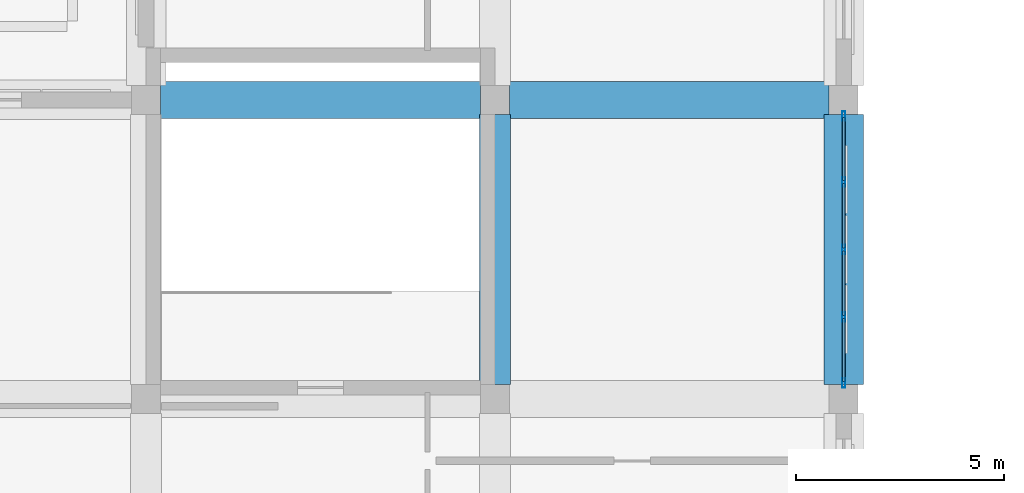
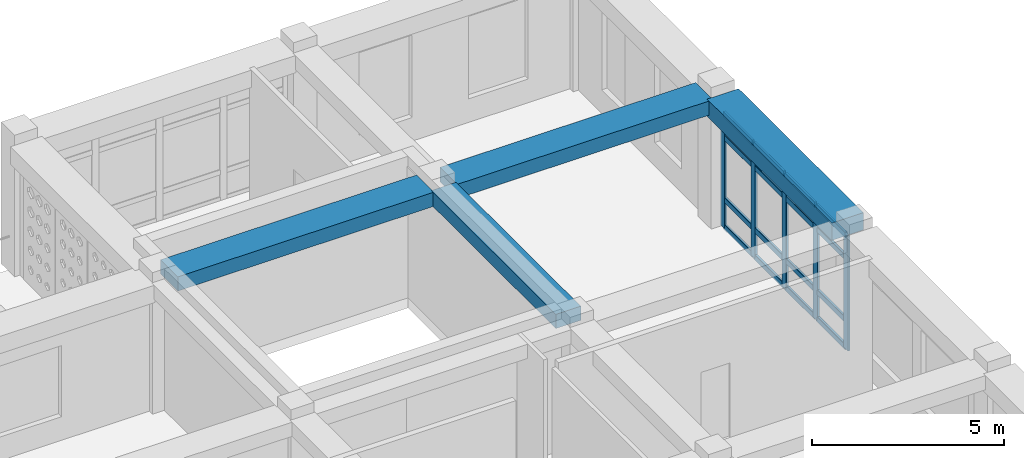
# One storey, part 27 of 79: 21 members, 4 beams, 1 element without a shape of its own.
"""IFC4 building model written with IfcOpenShell, lengths in metres."""

from ifc_helpers import new_model, si_unit, derived_unit, direction, frame, origin, origin_2d, place, context, subcontext, project, spatial, rectangle, hollow_rectangle, extrude, material, material_profile, profile_set, type_object, element, aggregate, save


model = new_model("IFC4")

# Units and contexts
model_context = context("Model", 3, precision=1e-05, world=origin(), true_north=direction((0.0, 1.0)))
body_context = subcontext(model_context, "Body", "Model", "MODEL_VIEW")
ifc_project = project(units=[si_unit("LENGTHUNIT", "METRE"), si_unit("AREAUNIT", "SQUARE_METRE"), si_unit("VOLUMEUNIT", "CUBIC_METRE"), si_unit("PLANEANGLEUNIT", "RADIAN"), si_unit("MASSUNIT", "GRAM", prefix="KILO"), derived_unit("THERMALTRANSMITTANCEUNIT", [(si_unit("POWERUNIT", "WATT"), 1), (si_unit("LENGTHUNIT", "METRE"), -2), (si_unit("THERMODYNAMICTEMPERATUREUNIT", "KELVIN"), -1)])], contexts=[model_context])

# Site, building, storey
site_placement = place(None, origin())
site = spatial("IfcSite", under=ifc_project, at=site_placement, CompositionType="ELEMENT")
building_placement = place(site_placement, origin())
building = spatial("IfcBuilding", under=site, at=building_placement, Name="Veybourne Emporium", CompositionType="ELEMENT")
storey_placement = place(building_placement, frame((0.0, 0.0, 18.89990234375)))
storey = spatial("IfcBuildingStorey", under=building, at=storey_placement, Name="L04", CompositionType="ELEMENT", Elevation=18.89990234375)

# Curtain wall, members
ifc_material_1 = material(Name="Patinated Architectural Bronze", Category="bronze")
curtain_wall_type = type_object("IfcCurtainWallType", Name="CWSystem_CWS-06", PredefinedType="NOTDEFINED", material=ifc_material_1)
curtain_wall_placement = place(storey_placement, origin())
curtain_wall = element("IfcCurtainWall", 1, at=curtain_wall_placement, inside=storey, type_object=curtain_wall_type, Name="L04 bronze glazed curtain wall CWS-06 (045)", PredefinedType="NOTDEFINED")
ifc_material_profile_1 = material_profile(ifc_material_1, hollow_rectangle(XDim=0.074951171875, YDim=0.22998046875, WallThickness=0.0048828125, InnerFilletRadius=0.007568359375, OuterFilletRadius=0.012451171875, at=origin_2d()), Name="CWM 75x230x5")
ifc_profile_set_1 = profile_set([ifc_material_profile_1], Name="Patinated Architectural Bronze")
member_type_1 = type_object("IfcMemberType", Name="CWMullion_CW-M2", PredefinedType="MULLION", material=ifc_profile_set_1)
member_1_placement = place(storey_placement, frame((92.39990234375, 93.21240234375, 0.0), z_axis=(0.0, 0.0, 1.0), x_axis=(1.0, 0.0, 0.0)))
member_1 = element("IfcMember", 2, at=member_1_placement, type_object=member_type_1, Name="CWS-06 mullion 1", PredefinedType="MULLION", context=body_context, shape_type="SweptSolid", body=[
    extrude(hollow_rectangle(XDim=0.074951171875, YDim=0.22998046875, WallThickness=0.0048828125, InnerFilletRadius=0.007568359375, OuterFilletRadius=0.012451171875, at=origin_2d()), origin(), (0.0, 0.0, 1.0), 3.630126953125),
])
member_2_placement = place(storey_placement, frame((92.39990234375, 91.625, 0.0), z_axis=(0.0, 0.0, 1.0), x_axis=(1.0, 0.0, 0.0)))
member_2 = element("IfcMember", 3, at=member_2_placement, type_object=member_type_1, Name="CWS-06 mullion 2", PredefinedType="MULLION", context=body_context, shape_type="SweptSolid", body=[
    extrude(hollow_rectangle(XDim=0.074951171875, YDim=0.22998046875, WallThickness=0.0048828125, InnerFilletRadius=0.007568359375, OuterFilletRadius=0.012451171875, at=origin_2d()), origin(), (0.0, 0.0, 1.0), 3.630126953125),
])
member_3_placement = place(storey_placement, frame((92.39990234375, 90.0, 0.0), z_axis=(0.0, 0.0, 1.0), x_axis=(1.0, 0.0, 0.0)))
member_3 = element("IfcMember", 4, at=member_3_placement, type_object=member_type_1, Name="CWS-06 mullion 3", PredefinedType="MULLION", context=body_context, shape_type="SweptSolid", body=[
    extrude(hollow_rectangle(XDim=0.074951171875, YDim=0.22998046875, WallThickness=0.0048828125, InnerFilletRadius=0.007568359375, OuterFilletRadius=0.012451171875, at=origin_2d()), origin(), (0.0, 0.0, 1.0), 3.630126953125),
])
member_4_placement = place(storey_placement, frame((92.39990234375, 88.375, 0.0), z_axis=(0.0, 0.0, 1.0), x_axis=(1.0, 0.0, 0.0)))
member_4 = element("IfcMember", 5, at=member_4_placement, type_object=member_type_1, Name="CWS-06 mullion 4", PredefinedType="MULLION", context=body_context, shape_type="SweptSolid", body=[
    extrude(hollow_rectangle(XDim=0.074951171875, YDim=0.22998046875, WallThickness=0.0048828125, InnerFilletRadius=0.007568359375, OuterFilletRadius=0.012451171875, at=origin_2d()), origin(), (0.0, 0.0, 1.0), 3.630126953125),
])
member_5_placement = place(storey_placement, frame((92.39990234375, 86.78759765625, 0.0), z_axis=(0.0, 0.0, 1.0), x_axis=(1.0, 0.0, 0.0)))
member_5 = element("IfcMember", 6, at=member_5_placement, type_object=member_type_1, Name="CWS-06 mullion 5", PredefinedType="MULLION", context=body_context, shape_type="SweptSolid", body=[
    extrude(hollow_rectangle(XDim=0.074951171875, YDim=0.22998046875, WallThickness=0.0048828125, InnerFilletRadius=0.007568359375, OuterFilletRadius=0.012451171875, at=origin_2d()), origin(), (0.0, 0.0, 1.0), 3.630126953125),
])
ifc_material_profile_2 = material_profile(ifc_material_1, hollow_rectangle(XDim=0.074951171875, YDim=0.179931640625, WallThickness=0.0048828125, InnerFilletRadius=0.007568359375, OuterFilletRadius=0.012451171875, at=origin_2d()), Name="CWT 75x180x5")
ifc_profile_set_2 = profile_set([ifc_material_profile_2], Name="Patinated Architectural Bronze")
member_type_2 = type_object("IfcMemberType", Name="CWTransom_CW-T2", PredefinedType="NOTDEFINED", material=ifc_profile_set_2)
member_6_placement = place(storey_placement, frame((92.39990234375, 93.175048828125, 0.03759765625), z_axis=(0.0, -1.0, 0.0), x_axis=(1.0, 0.0, 0.0)))
member_6 = element("IfcMember", 7, at=member_6_placement, type_object=member_type_2, Name="CWS-06 transom 1.1", ObjectType="TRANSOM", PredefinedType="USERDEFINED", context=body_context, shape_type="SweptSolid", body=[
    extrude(hollow_rectangle(XDim=0.074951171875, YDim=0.179931640625, WallThickness=0.0048828125, InnerFilletRadius=0.007568359375, OuterFilletRadius=0.012451171875, at=origin_2d()), origin(), (0.0, 0.0, 1.0), 1.512451171875),
])
member_7_placement = place(storey_placement, frame((92.39990234375, 93.175048828125, 0.900146484375), z_axis=(0.0, -1.0, 0.0), x_axis=(1.0, 0.0, 0.0)))
member_7 = element("IfcMember", 8, at=member_7_placement, type_object=member_type_2, Name="CWS-06 transom 1.2", ObjectType="TRANSOM", PredefinedType="USERDEFINED", context=body_context, shape_type="SweptSolid", body=[
    extrude(hollow_rectangle(XDim=0.074951171875, YDim=0.179931640625, WallThickness=0.0048828125, InnerFilletRadius=0.007568359375, OuterFilletRadius=0.012451171875, at=origin_2d()), origin(), (0.0, 0.0, 1.0), 1.512451171875),
])
member_8_placement = place(storey_placement, frame((92.39990234375, 93.175048828125, 2.880126953125), z_axis=(0.0, -1.0, 0.0), x_axis=(1.0, 0.0, 0.0)))
member_8 = element("IfcMember", 9, at=member_8_placement, type_object=member_type_2, Name="CWS-06 transom 1.3", ObjectType="TRANSOM", PredefinedType="USERDEFINED", context=body_context, shape_type="SweptSolid", body=[
    extrude(hollow_rectangle(XDim=0.074951171875, YDim=0.179931640625, WallThickness=0.0048828125, InnerFilletRadius=0.007568359375, OuterFilletRadius=0.012451171875, at=origin_2d()), origin(), (0.0, 0.0, 1.0), 1.512451171875),
])
member_9_placement = place(storey_placement, frame((92.39990234375, 93.175048828125, 3.592529296875), z_axis=(0.0, -1.0, 0.0), x_axis=(1.0, 0.0, 0.0)))
member_9 = element("IfcMember", 10, at=member_9_placement, type_object=member_type_2, Name="CWS-06 transom 1.4", ObjectType="TRANSOM", PredefinedType="USERDEFINED", context=body_context, shape_type="SweptSolid", body=[
    extrude(hollow_rectangle(XDim=0.074951171875, YDim=0.179931640625, WallThickness=0.0048828125, InnerFilletRadius=0.007568359375, OuterFilletRadius=0.012451171875, at=origin_2d()), origin(), (0.0, 0.0, 1.0), 1.512451171875),
])
member_10_placement = place(storey_placement, frame((92.39990234375, 91.58740234375, 0.03759765625), z_axis=(0.0, -1.0, 0.0), x_axis=(1.0, 0.0, 0.0)))
member_10 = element("IfcMember", 11, at=member_10_placement, type_object=member_type_2, Name="CWS-06 transom 2.1", ObjectType="TRANSOM", PredefinedType="USERDEFINED", context=body_context, shape_type="SweptSolid", body=[
    extrude(hollow_rectangle(XDim=0.074951171875, YDim=0.179931640625, WallThickness=0.0048828125, InnerFilletRadius=0.007568359375, OuterFilletRadius=0.012451171875, at=origin_2d()), origin(), (0.0, 0.0, 1.0), 1.5498046875),
])
member_11_placement = place(storey_placement, frame((92.39990234375, 91.58740234375, 0.900146484375), z_axis=(0.0, -1.0, 0.0), x_axis=(1.0, 0.0, 0.0)))
member_11 = element("IfcMember", 12, at=member_11_placement, type_object=member_type_2, Name="CWS-06 transom 2.2", ObjectType="TRANSOM", PredefinedType="USERDEFINED", context=body_context, shape_type="SweptSolid", body=[
    extrude(hollow_rectangle(XDim=0.074951171875, YDim=0.179931640625, WallThickness=0.0048828125, InnerFilletRadius=0.007568359375, OuterFilletRadius=0.012451171875, at=origin_2d()), origin(), (0.0, 0.0, 1.0), 1.5498046875),
])
member_12_placement = place(storey_placement, frame((92.39990234375, 91.58740234375, 2.880126953125), z_axis=(0.0, -1.0, 0.0), x_axis=(1.0, 0.0, 0.0)))
member_12 = element("IfcMember", 13, at=member_12_placement, type_object=member_type_2, Name="CWS-06 transom 2.3", ObjectType="TRANSOM", PredefinedType="USERDEFINED", context=body_context, shape_type="SweptSolid", body=[
    extrude(hollow_rectangle(XDim=0.074951171875, YDim=0.179931640625, WallThickness=0.0048828125, InnerFilletRadius=0.007568359375, OuterFilletRadius=0.012451171875, at=origin_2d()), origin(), (0.0, 0.0, 1.0), 1.5498046875),
])
member_13_placement = place(storey_placement, frame((92.39990234375, 91.58740234375, 3.592529296875), z_axis=(0.0, -1.0, 0.0), x_axis=(1.0, 0.0, 0.0)))
member_13 = element("IfcMember", 14, at=member_13_placement, type_object=member_type_2, Name="CWS-06 transom 2.4", ObjectType="TRANSOM", PredefinedType="USERDEFINED", context=body_context, shape_type="SweptSolid", body=[
    extrude(hollow_rectangle(XDim=0.074951171875, YDim=0.179931640625, WallThickness=0.0048828125, InnerFilletRadius=0.007568359375, OuterFilletRadius=0.012451171875, at=origin_2d()), origin(), (0.0, 0.0, 1.0), 1.5498046875),
])
member_14_placement = place(storey_placement, frame((92.39990234375, 89.96240234375, 0.03759765625), z_axis=(0.0, -1.0, 0.0), x_axis=(1.0, 0.0, 0.0)))
member_14 = element("IfcMember", 15, at=member_14_placement, type_object=member_type_2, Name="CWS-06 transom 3.1", ObjectType="TRANSOM", PredefinedType="USERDEFINED", context=body_context, shape_type="SweptSolid", body=[
    extrude(hollow_rectangle(XDim=0.074951171875, YDim=0.179931640625, WallThickness=0.0048828125, InnerFilletRadius=0.007568359375, OuterFilletRadius=0.012451171875, at=origin_2d()), origin(), (0.0, 0.0, 1.0), 1.5498046875),
])
member_15_placement = place(storey_placement, frame((92.39990234375, 89.96240234375, 0.900146484375), z_axis=(0.0, -1.0, 0.0), x_axis=(1.0, 0.0, 0.0)))
member_15 = element("IfcMember", 16, at=member_15_placement, type_object=member_type_2, Name="CWS-06 transom 3.2", ObjectType="TRANSOM", PredefinedType="USERDEFINED", context=body_context, shape_type="SweptSolid", body=[
    extrude(hollow_rectangle(XDim=0.074951171875, YDim=0.179931640625, WallThickness=0.0048828125, InnerFilletRadius=0.007568359375, OuterFilletRadius=0.012451171875, at=origin_2d()), origin(), (0.0, 0.0, 1.0), 1.5498046875),
])
member_16_placement = place(storey_placement, frame((92.39990234375, 89.96240234375, 2.880126953125), z_axis=(0.0, -1.0, 0.0), x_axis=(1.0, 0.0, 0.0)))
member_16 = element("IfcMember", 17, at=member_16_placement, type_object=member_type_2, Name="CWS-06 transom 3.3", ObjectType="TRANSOM", PredefinedType="USERDEFINED", context=body_context, shape_type="SweptSolid", body=[
    extrude(hollow_rectangle(XDim=0.074951171875, YDim=0.179931640625, WallThickness=0.0048828125, InnerFilletRadius=0.007568359375, OuterFilletRadius=0.012451171875, at=origin_2d()), origin(), (0.0, 0.0, 1.0), 1.5498046875),
])
member_17_placement = place(storey_placement, frame((92.39990234375, 89.96240234375, 3.592529296875), z_axis=(0.0, -1.0, 0.0), x_axis=(1.0, 0.0, 0.0)))
member_17 = element("IfcMember", 18, at=member_17_placement, type_object=member_type_2, Name="CWS-06 transom 3.4", ObjectType="TRANSOM", PredefinedType="USERDEFINED", context=body_context, shape_type="SweptSolid", body=[
    extrude(hollow_rectangle(XDim=0.074951171875, YDim=0.179931640625, WallThickness=0.0048828125, InnerFilletRadius=0.007568359375, OuterFilletRadius=0.012451171875, at=origin_2d()), origin(), (0.0, 0.0, 1.0), 1.5498046875),
])
member_18_placement = place(storey_placement, frame((92.39990234375, 88.33740234375, 0.03759765625), z_axis=(0.0, -1.0, 0.0), x_axis=(1.0, 0.0, 0.0)))
member_18 = element("IfcMember", 19, at=member_18_placement, type_object=member_type_2, Name="CWS-06 transom 4.1", ObjectType="TRANSOM", PredefinedType="USERDEFINED", context=body_context, shape_type="SweptSolid", body=[
    extrude(hollow_rectangle(XDim=0.074951171875, YDim=0.179931640625, WallThickness=0.0048828125, InnerFilletRadius=0.007568359375, OuterFilletRadius=0.012451171875, at=origin_2d()), origin(), (0.0, 0.0, 1.0), 1.512451171875),
])
member_19_placement = place(storey_placement, frame((92.39990234375, 88.33740234375, 0.900146484375), z_axis=(0.0, -1.0, 0.0), x_axis=(1.0, 0.0, 0.0)))
member_19 = element("IfcMember", 20, at=member_19_placement, type_object=member_type_2, Name="CWS-06 transom 4.2", ObjectType="TRANSOM", PredefinedType="USERDEFINED", context=body_context, shape_type="SweptSolid", body=[
    extrude(hollow_rectangle(XDim=0.074951171875, YDim=0.179931640625, WallThickness=0.0048828125, InnerFilletRadius=0.007568359375, OuterFilletRadius=0.012451171875, at=origin_2d()), origin(), (0.0, 0.0, 1.0), 1.512451171875),
])
member_20_placement = place(storey_placement, frame((92.39990234375, 88.33740234375, 2.880126953125), z_axis=(0.0, -1.0, 0.0), x_axis=(1.0, 0.0, 0.0)))
member_20 = element("IfcMember", 21, at=member_20_placement, type_object=member_type_2, Name="CWS-06 transom 4.3", ObjectType="TRANSOM", PredefinedType="USERDEFINED", context=body_context, shape_type="SweptSolid", body=[
    extrude(hollow_rectangle(XDim=0.074951171875, YDim=0.179931640625, WallThickness=0.0048828125, InnerFilletRadius=0.007568359375, OuterFilletRadius=0.012451171875, at=origin_2d()), origin(), (0.0, 0.0, 1.0), 1.512451171875),
])
member_21_placement = place(storey_placement, frame((92.39990234375, 88.33740234375, 3.592529296875), z_axis=(0.0, -1.0, 0.0), x_axis=(1.0, 0.0, 0.0)))
member_21 = element("IfcMember", 22, at=member_21_placement, type_object=member_type_2, Name="CWS-06 transom 4.4", ObjectType="TRANSOM", PredefinedType="USERDEFINED", context=body_context, shape_type="SweptSolid", body=[
    extrude(hollow_rectangle(XDim=0.074951171875, YDim=0.179931640625, WallThickness=0.0048828125, InnerFilletRadius=0.007568359375, OuterFilletRadius=0.012451171875, at=origin_2d()), origin(), (0.0, 0.0, 1.0), 1.512451171875),
])
aggregate(curtain_wall, [member_1, member_2, member_3, member_4, member_5, member_6, member_7, member_8, member_9, member_10, member_11, member_12, member_13, member_14, member_15, member_16, member_17, member_18, member_19, member_20, member_21])

# Beams
ifc_material_2 = material(Name="Concrete C32/40", Category="concrete")
ifc_material_profile_3 = material_profile(ifc_material_2, rectangle(XDim=0.89990234375, YDim=0.449951171875, at=origin_2d()), Name="RC 900x450")
ifc_profile_set_3 = profile_set([ifc_material_profile_3], Name="Concrete C32/40")
beam_type_1 = type_object("IfcBeamType", Name="RCBeam_BB-03", PredefinedType="BEAM", material=ifc_profile_set_3)
for number, where, z_axis, x_axis, name in (
    (23, (75.949951171875, 93.60009765625, 3.955078125), (1.0, 0.0, 0.0), (0.0, 1.0, 0.0), "L04 X-grid beam BB-03 (9,13)"),
    (24, (84.35009765625, 93.60009765625, 3.955078125), (1.0, 0.0, 0.0), (0.0, 1.0, 0.0), "L04 X-grid beam BB-03 (10,13)"),
):
    element("IfcBeam", number, at=place(storey_placement, frame(where, z_axis=z_axis, x_axis=x_axis)), inside=storey, type_object=beam_type_1, Name=name, PredefinedType="BEAM", context=body_context, shape_type="SweptSolid", body=[
        extrude(rectangle(XDim=0.89990234375, YDim=0.449951171875, at=origin_2d()), origin(), (0.0, 0.0, 1.0), 7.699951171875),
    ])
ifc_material_profile_4 = material_profile(ifc_material_2, rectangle(XDim=0.75, YDim=0.449951171875, at=origin_2d()), Name="RC 750x450")
ifc_profile_set_4 = profile_set([ifc_material_profile_4], Name="Concrete C32/40")
beam_type_2 = type_object("IfcBeamType", Name="RCBeam_BB-04", PredefinedType="BEAM", material=ifc_profile_set_4)
beam_1_placement = place(storey_placement, frame((84.0, 86.75, 3.955078125), z_axis=(0.0, 1.0, 0.0), x_axis=(-1.0, 0.0, 0.0)))
element("IfcBeam", 25, at=beam_1_placement, inside=storey, type_object=beam_type_2, Name="L04 Y-grid beam BB-04 (10,12)", PredefinedType="BEAM", context=body_context, shape_type="SweptSolid", body=[
    extrude(rectangle(XDim=0.75, YDim=0.449951171875, at=origin_2d()), origin(), (0.0, 0.0, 1.0), 6.5),
])
ifc_material_profile_5 = material_profile(ifc_material_2, rectangle(XDim=0.949951171875, YDim=0.550048828125, at=origin_2d()), Name="RC 950x550")
ifc_profile_set_5 = profile_set([ifc_material_profile_5], Name="Concrete C32/40")
beam_type_3 = type_object("IfcBeamType", Name="RCBeam_EB-01", PredefinedType="SPANDREL", material=ifc_profile_set_5)
beam_2_placement = place(storey_placement, frame((92.39990234375, 86.75, 3.905029296875), z_axis=(0.0, 1.0, 0.0), x_axis=(-1.0, 0.0, 0.0)))
element("IfcBeam", 26, at=beam_2_placement, inside=storey, type_object=beam_type_3, Name="L04 Y-grid beam EB-01 (11,12)", PredefinedType="SPANDREL", context=body_context, shape_type="SweptSolid", body=[
    extrude(rectangle(XDim=0.949951171875, YDim=0.550048828125, at=origin_2d()), origin(), (0.0, 0.0, 1.0), 6.5),
])

save(model, "model.ifc")
